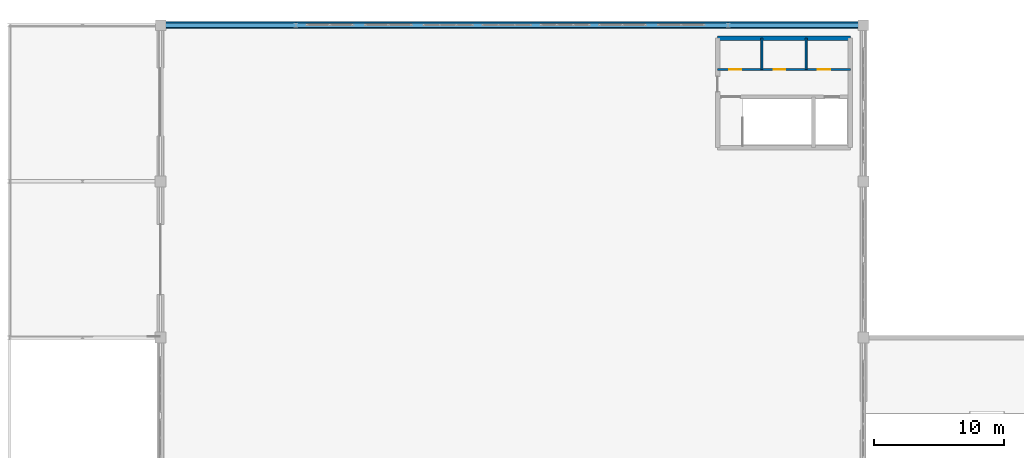
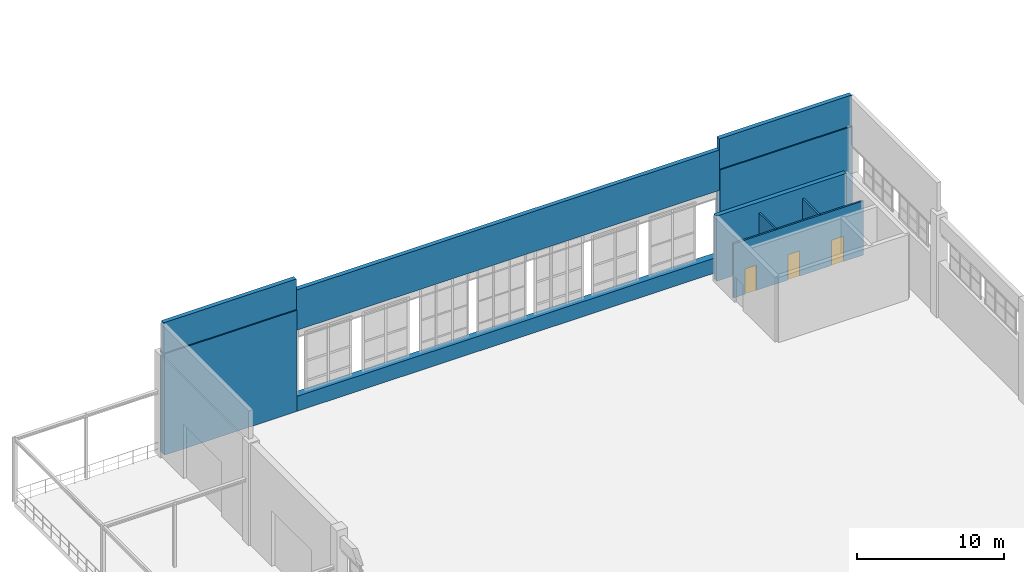
# One storey, part 87 of 97: 10 walls, 3 doors, 3 openings.
"""IFC4 building model written with IfcOpenShell, lengths in metres."""

from ifc_helpers import new_model, si_unit, derived_unit, direction, frame, frame_2d, origin, place, context, subcontext, project, spatial, rectangle, extrude, material, layer, layer_set, type_object, element, fill, save


model = new_model("IFC4")

# Units and contexts
model_context = context("Model", 3, precision=1e-05, world=origin(), true_north=direction((0.0, 1.0)))
body_context = subcontext(model_context, "Body", "Model", "MODEL_VIEW")
ifc_project = project(units=[si_unit("LENGTHUNIT", "METRE"), si_unit("AREAUNIT", "SQUARE_METRE"), si_unit("VOLUMEUNIT", "CUBIC_METRE"), si_unit("PLANEANGLEUNIT", "RADIAN"), si_unit("MASSUNIT", "GRAM", prefix="KILO"), derived_unit("THERMALTRANSMITTANCEUNIT", [(si_unit("POWERUNIT", "WATT"), 1), (si_unit("LENGTHUNIT", "METRE"), -2), (si_unit("THERMODYNAMICTEMPERATUREUNIT", "KELVIN"), -1)])], contexts=[model_context])

# Site, building, storey
site_placement = place(None, origin())
site = spatial("IfcSite", under=ifc_project, at=site_placement, CompositionType="ELEMENT")
building_placement = place(site_placement, origin())
building = spatial("IfcBuilding", under=site, at=building_placement, Name="Almenara Railside Exhibition Hall", CompositionType="ELEMENT")
storey_placement = place(building_placement, frame((0.0, 0.0, 10.800048828125)))
storey = spatial("IfcBuildingStorey", under=building, at=storey_placement, Name="L02", CompositionType="ELEMENT", Elevation=10.800048828125)

# Walls
ifc_material_1 = material(Name="Concrete C35/45", Category="concrete")
ifc_layer_1 = layer(ifc_material_1, 0.35009765625, Name="Concrete C35/45")
ifc_layer_set_1 = layer_set([ifc_layer_1], Name="Concrete C35/45")
wall_type_1 = type_object("IfcWallType", Name="Core Coupled Shear Wall 350mm C35/45", PredefinedType="SHEAR", material=ifc_layer_set_1)
wall_1_placement = place(storey_placement, frame((65.0, 131.0, 0.0), z_axis=(0.0, 0.0, 1.0), x_axis=(-1.0, 0.0, 0.0)))
element("IfcWall", 1, at=wall_1_placement, inside=storey, type_object=wall_type_1, Name="Interior wall 0047", PredefinedType="SHEAR", context=body_context, shape_type="SweptSolid", body=[
    extrude(rectangle(XDim=10.199951171875, YDim=0.35009765625, at=frame_2d((5.10009765625, 0.0))), origin(), (0.0, 0.0, 1.0), 5.39990234375),
])
ifc_material_2 = material(Name="Ochre-white lime-rendered masonry over Concrete C35/45", Category="masonry")
ifc_layer_2 = layer(ifc_material_2, 0.3349609375, Name="Ochre-white lime-rendered masonry over Concrete C35/45")
ifc_layer_set_2 = layer_set([ifc_layer_2], Name="Ochre-white lime-rendered masonry over Concrete C35/45")
wall_type_2 = type_object("IfcWallType", Name="Exterior Belvedere Wall 335mm C35/45", PredefinedType="SOLIDWALL", material=ifc_layer_set_2)
for number, where, z_axis, x_axis, name in (
    (2, (12.0, 132.0, 8.39990234375), (0.0, 0.0, 1.0), (1.0, 0.0, 0.0), "Exterior wall 0327"),
    (3, (55.60009765625, 132.0, 8.39990234375), (0.0, 0.0, 1.0), (1.0, 0.0, 0.0), "Exterior wall 0328"),
):
    element("IfcWall", number, at=place(storey_placement, frame(where, z_axis=z_axis, x_axis=x_axis)), inside=storey, type_object=wall_type_2, Name=name, PredefinedType="SOLIDWALL", context=body_context, shape_type="SweptSolid", body=[
        extrude(rectangle(XDim=10.39990234375, YDim=0.3349609375, at=frame_2d((5.199951171875, 0.0))), origin(), (0.0, 0.0, 1.0), 2.5263671875),
    ])
wall_2_placement = place(storey_placement, frame((22.39990234375, 132.0, 6.64990234375), z_axis=(0.0, 0.0, 1.0), x_axis=(1.0, 0.0, 0.0)))
element("IfcWall", 4, at=wall_2_placement, inside=storey, type_object=wall_type_2, Name="Exterior wall 0329", PredefinedType="SOLIDWALL", context=body_context, shape_type="SweptSolid", body=[
    extrude(rectangle(XDim=33.2001953125, YDim=0.3349609375, at=frame_2d((16.60009765625, 0.0))), origin(), (0.0, 0.0, 1.0), 3.35009765625),
])
ifc_layer_3 = layer(ifc_material_2, 0.5400390625, Name="Ochre-white lime-rendered masonry over Concrete C35/45")
ifc_layer_set_3 = layer_set([ifc_layer_3], Name="Ochre-white lime-rendered masonry over Concrete C35/45")
wall_type_3 = type_object("IfcWallType", Name="Exterior West Hall Thermal Wall 540mm C35/45", PredefinedType="SOLIDWALL", material=ifc_layer_set_3)
wall_3_placement = place(storey_placement, frame((22.39990234375, 132.0, 0.0), z_axis=(0.0, 0.0, 1.0), x_axis=(-1.0, 0.0, 0.0)))
element("IfcWall", 5, at=wall_3_placement, inside=storey, type_object=wall_type_3, Name="Exterior wall 0066", PredefinedType="SOLIDWALL", context=body_context, shape_type="SweptSolid", body=[
    extrude(rectangle(XDim=10.39990234375, YDim=0.5400390625, at=frame_2d((5.199951171875, 0.0))), origin(), (0.0, 0.0, 1.0), 8.39990234375),
])
wall_4_placement = place(storey_placement, frame((55.60009765625, 132.0, 0.0), z_axis=(0.0, 0.0, 1.0), x_axis=(-1.0, 0.0, 0.0)))
element("IfcWall", 6, at=wall_4_placement, inside=storey, type_object=wall_type_3, Name="Exterior wall 0069", PredefinedType="SOLIDWALL", context=body_context, shape_type="SweptSolid", body=[
    extrude(rectangle(XDim=33.2001953125, YDim=0.5400390625, at=frame_2d((16.60009765625, 0.0))), origin(), (0.0, 0.0, 1.0), 1.25),
])
wall_5_placement = place(storey_placement, frame((66.0, 132.0, 0.0), z_axis=(0.0, 0.0, 1.0), x_axis=(-1.0, 0.0, 0.0)))
element("IfcWall", 7, at=wall_5_placement, inside=storey, type_object=wall_type_3, Name="Exterior wall 0072", PredefinedType="SOLIDWALL", context=body_context, shape_type="SweptSolid", body=[
    extrude(rectangle(XDim=10.39990234375, YDim=0.5400390625, at=frame_2d((5.199951171875, 0.0))), origin(), (0.0, 0.0, 1.0), 8.39990234375),
])

# Wall, openings, doors
ifc_material_3 = material(Name="Moisture-resistant tiled masonry partition", Category="masonry")
ifc_layer_4 = layer(ifc_material_3, 0.139892578125, Name="Moisture-resistant tiled masonry partition")
ifc_layer_set_4 = layer_set([ifc_layer_4], Name="Moisture-resistant tiled masonry partition")
wall_type_4 = type_object("IfcWallType", Name="Sanitary Wet-Wall Partition 140mm", PredefinedType="PARTITIONING", material=ifc_layer_set_4)
wall_6_placement = place(storey_placement, frame((54.800048828125, 128.60009765625, 0.0), z_axis=(0.0, 0.0, 1.0), x_axis=(1.0, 0.0, 0.0)))
wall_6 = element("IfcWall", 8, at=wall_6_placement, inside=storey, type_object=wall_type_4, Name="Interior wall 0052", PredefinedType="PARTITIONING", context=body_context, shape_type="SweptSolid", body=[
    extrude(rectangle(XDim=10.199951171875, YDim=0.139892578125, at=frame_2d((5.10009765625, 0.0))), origin(), (0.0, 0.0, 1.0), 4.5),
])
opening_1_placement = place(wall_6_placement, frame((0.89990234375, 0.0, 0.0)))
opening_1 = element("IfcOpeningElement", 9, at=opening_1_placement, cuts=wall_6, Name="Opening ID-09", PredefinedType="OPENING", context=body_context, shape_type="SweptSolid", body=[
    extrude(rectangle(XDim=0.89990234375, YDim=2.10009765625, at=frame_2d((0.449951171875, 1.050048828125))), frame((0.0, 0.079833984375, 0.0), z_axis=(0.0, -1.0, 0.0), x_axis=(1.0, 0.0, 0.0)), (0.0, 0.0, 1.0), 0.159912109375),
])
opening_2_placement = place(wall_6_placement, frame((4.300048828125, 0.0, 0.0)))
opening_2 = element("IfcOpeningElement", 10, at=opening_2_placement, cuts=wall_6, Name="Opening ID-09", PredefinedType="OPENING", context=body_context, shape_type="SweptSolid", body=[
    extrude(rectangle(XDim=0.89990234375, YDim=2.10009765625, at=frame_2d((0.449951171875, 1.050048828125))), frame((0.0, 0.079833984375, 0.0), z_axis=(0.0, -1.0, 0.0), x_axis=(1.0, 0.0, 0.0)), (0.0, 0.0, 1.0), 0.159912109375),
])
opening_3_placement = place(wall_6_placement, frame((7.699951171875, 0.0, 0.0)))
opening_3 = element("IfcOpeningElement", 11, at=opening_3_placement, cuts=wall_6, Name="Opening ID-095", PredefinedType="OPENING", context=body_context, shape_type="SweptSolid", body=[
    extrude(rectangle(XDim=0.949951171875, YDim=2.10009765625, at=frame_2d((0.47509765625, 1.050048828125))), frame((0.0, 0.079833984375, 0.0), z_axis=(0.0, -1.0, 0.0), x_axis=(1.0, 0.0, 0.0)), (0.0, 0.0, 1.0), 0.159912109375),
])
ifc_material_4 = material(Name="Moisture-resistant hardwood door", Category="wood")
door_type_1 = type_object("IfcDoorType", Name="Accessible Toilet Door 950x2100", OperationType="NOTDEFINED", PredefinedType="DOOR", material=ifc_material_4)
door_1_placement = place(opening_3_placement, origin())
door_1 = element("IfcDoor", 12, at=door_1_placement, inside=storey, type_object=door_type_1, Name="Interior door ID-095-036", OperationType="SINGLE_SWING_RIGHT", OverallHeight=2.10009765625, OverallWidth=0.949951171875, PredefinedType="DOOR", context=body_context, shape_type="SweptSolid", body=[
    extrude(rectangle(XDim=0.949951171875, YDim=2.10009765625, at=frame_2d((0.47509765625, 1.050048828125))), frame((0.0, 0.02490234375, 0.0), z_axis=(0.0, -1.0, 0.0), x_axis=(1.0, 0.0, 0.0)), (0.0, 0.0, 1.0), 0.050048828125),
])
fill(opening_3, door_1)
door_type_2 = type_object("IfcDoorType", Name="Sanitary Lobby Single Door 900x2100", OperationType="NOTDEFINED", PredefinedType="DOOR", material=ifc_material_4)
door_2_placement = place(opening_1_placement, origin())
door_2 = element("IfcDoor", 13, at=door_2_placement, inside=storey, type_object=door_type_2, Name="Interior door ID-09-034", OperationType="SINGLE_SWING_RIGHT", OverallHeight=2.10009765625, OverallWidth=0.89990234375, PredefinedType="DOOR", context=body_context, shape_type="SweptSolid", body=[
    extrude(rectangle(XDim=0.89990234375, YDim=2.10009765625, at=frame_2d((0.449951171875, 1.050048828125))), frame((0.0, 0.02490234375, 0.0), z_axis=(0.0, -1.0, 0.0), x_axis=(1.0, 0.0, 0.0)), (0.0, 0.0, 1.0), 0.050048828125),
])
fill(opening_1, door_2)
door_3_placement = place(opening_2_placement, origin())
door_3 = element("IfcDoor", 14, at=door_3_placement, inside=storey, type_object=door_type_2, Name="Interior door ID-09-035", OperationType="SINGLE_SWING_LEFT", OverallHeight=2.10009765625, OverallWidth=0.89990234375, PredefinedType="DOOR", context=body_context, shape_type="SweptSolid", body=[
    extrude(rectangle(XDim=0.89990234375, YDim=2.10009765625, at=frame_2d((0.449951171875, 1.050048828125))), frame((0.0, 0.02490234375, 0.0), z_axis=(0.0, -1.0, 0.0), x_axis=(1.0, 0.0, 0.0)), (0.0, 0.0, 1.0), 0.050048828125),
])
fill(opening_2, door_3)

# Walls
for number, where, z_axis, x_axis, name in (
    (15, (58.199951171875, 128.60009765625, 0.0), (0.0, 0.0, 1.0), (0.0, 1.0, 0.0), "Interior wall 0053"),
    (16, (61.60009765625, 128.60009765625, 0.0), (0.0, 0.0, 1.0), (0.0, 1.0, 0.0), "Interior wall 0054"),
):
    element("IfcWall", number, at=place(storey_placement, frame(where, z_axis=z_axis, x_axis=x_axis)), inside=storey, type_object=wall_type_4, Name=name, PredefinedType="PARTITIONING", context=body_context, shape_type="SweptSolid", body=[
        extrude(rectangle(XDim=2.39990234375, YDim=0.139892578125, at=frame_2d((1.199951171875, 0.0))), origin(), (0.0, 0.0, 1.0), 4.5),
    ])

save(model, "model.ifc")
